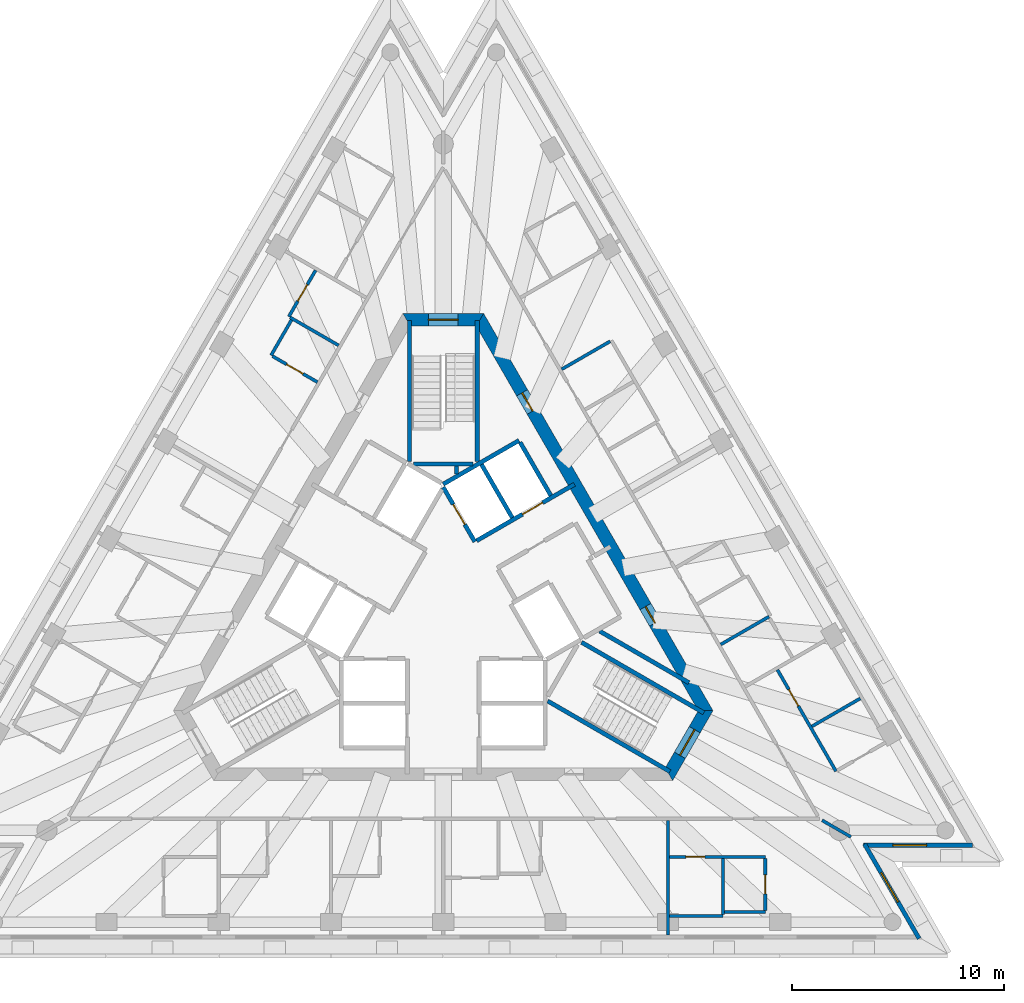
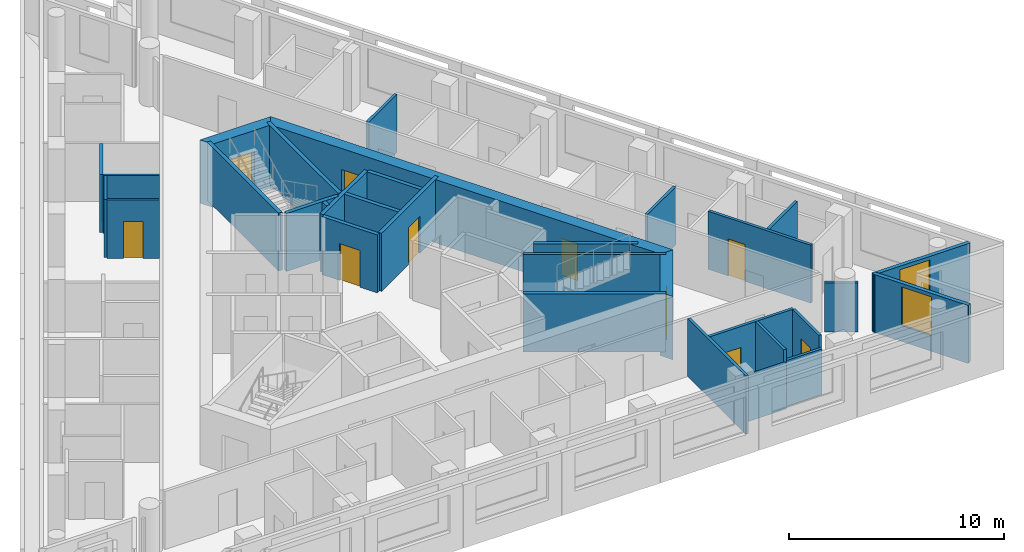
# One storey, part 6 of 11: 32 walls, 11 doors, 2 windows, 13 openings.
"""IFC4 building model written with IfcOpenShell, lengths in metres."""

from ifc_helpers import new_model, si_unit, direction, frame, frame_2d, origin, place, context, subcontext, project, spatial, polyline, rectangle, outline, extrude, material, layer, layer_set, layer_usage, type_object, element, fill, save


model = new_model("IFC4")

# Units and contexts
model_context = context("Model", 3, precision=1e-05, world=origin(), true_north=direction((0.0, 1.0)))
body_context = subcontext(model_context, "Body", "Model", "MODEL_VIEW")
ifc_project = project(units=[si_unit("LENGTHUNIT", "METRE"), si_unit("AREAUNIT", "SQUARE_METRE"), si_unit("VOLUMEUNIT", "CUBIC_METRE"), si_unit("PLANEANGLEUNIT", "RADIAN"), si_unit("MASSUNIT", "GRAM", prefix="KILO")], contexts=[model_context])

# Site, building, storey
site_placement = place(None, origin())
site = spatial("IfcSite", under=ifc_project, at=site_placement, CompositionType="ELEMENT")
building_placement = place(site_placement, origin())
building = spatial("IfcBuilding", under=site, at=building_placement, Name="Triada Interchange Tower", CompositionType="ELEMENT")
storey_placement = place(building_placement, frame((0.0, 0.0, 300.699951171875)))
storey = spatial("IfcBuildingStorey", under=building, at=storey_placement, Name="L71", CompositionType="ELEMENT", Elevation=300.699951171875)

# Wall
ifc_material_1 = material(Name="Concrete C30/37", Category="concrete")
ifc_layer_1 = layer(ifc_material_1, 0.199951171875)
ifc_layer_set_1 = layer_set([ifc_layer_1], Name="CORE WALL 200 EI 120")
wall_type_1 = type_object("IfcWallType", Name="CORE WALL 200 EI 120", PredefinedType="SOLIDWALL", material=ifc_layer_set_1)
wall_1_placement = place(storey_placement, frame((-0.001953125, 5.541015625, 0.0), z_axis=(0.0, 0.0, 1.0), x_axis=(0.86600155993, 0.500041296494, 0.0)))
element("IfcWall", 1, at=wall_1_placement, inside=storey, type_object=wall_type_1, Name="Wall L71 79", PredefinedType="SOLIDWALL", context=body_context, shape_type="SweptSolid", body=[
    extrude(rectangle(XDim=4.131591796875, YDim=0.199951171875, at=frame_2d((2.06591796875, 0.0))), origin(), (0.0, 0.0, 1.0), 3.300048828125),
])

# Wall, opening, door
wall_2_placement = place(storey_placement, frame((0.0, 5.39990234375, 0.0), z_axis=(0.0, 0.0, 1.0), x_axis=(0.500103862429, -0.865965430478, 0.0)))
wall_2 = element("IfcWall", 2, at=wall_2_placement, inside=storey, type_object=wall_type_1, Name="Wall L71 80", PredefinedType="SOLIDWALL", context=body_context, shape_type="SweptSolid", body=[
    extrude(rectangle(XDim=2.973388671875, YDim=0.199951171875, at=frame_2d((1.48681640625, 0.0))), origin(), (0.0, 0.0, 1.0), 3.300048828125),
])
opening_1_placement = place(wall_2_placement, frame((0.93701171875, 0.0, 0.0)))
opening_1 = element("IfcOpeningElement", 3, at=opening_1_placement, cuts=wall_2, Name="Opening LD-HR5", PredefinedType="OPENING", context=body_context, shape_type="SweptSolid", body=[
    extrude(rectangle(XDim=1.10009765625, YDim=2.10009765625, at=frame_2d((0.550048828125, 1.050048828125))), frame((0.0, 0.10986328125, 0.0), z_axis=(0.0, -1.0, 0.0), x_axis=(1.0, 0.0, 0.0)), (0.0, 0.0, 1.0), 0.219970703125),
])
ifc_material_2 = material(Name="Steel S235 door leaf", Category="steel")
door_type_1 = type_object("IfcDoorType", Name="LIFT LANDING DOOR 1100 EI 120", OperationType="SLIDING_TO_LEFT", PredefinedType="DOOR", material=ifc_material_2)
door_1_placement = place(opening_1_placement, origin())
door_1 = element("IfcDoor", 4, at=door_1_placement, inside=storey, type_object=door_type_1, Name="HR5 landing door L71", OperationType="SLIDING_TO_LEFT", OverallHeight=2.10009765625, OverallWidth=1.10009765625, PredefinedType="DOOR", context=body_context, shape_type="SweptSolid", body=[
    extrude(rectangle(XDim=1.10009765625, YDim=2.10009765625, at=frame_2d((0.550048828125, 1.050048828125))), frame((0.0, 0.02490234375, 0.0), z_axis=(0.0, -1.0, 0.0), x_axis=(1.0, 0.0, 0.0)), (0.0, 0.0, 1.0), 0.050048828125),
])
fill(opening_1, door_1)

wall_3_placement = place(storey_placement, frame((1.577880859375, 2.8740234375, 0.0), z_axis=(0.0, 0.0, 1.0), x_axis=(0.866045911672, 0.499964477614, 0.0)))
wall_3 = element("IfcWall", 5, at=wall_3_placement, inside=storey, type_object=wall_type_1, Name="Wall L71 82", PredefinedType="SOLIDWALL", context=body_context, shape_type="SweptSolid", body=[
    extrude(rectangle(XDim=5.32666015625, YDim=0.199951171875, at=frame_2d((2.663330078125, 0.0))), origin(), (0.0, 0.0, 1.0), 3.300048828125),
])
opening_2_placement = place(wall_3_placement, frame((2.49609375, 0.0, 0.0)))
opening_2 = element("IfcOpeningElement", 6, at=opening_2_placement, cuts=wall_3, Name="Opening LD-HR6", PredefinedType="OPENING", context=body_context, shape_type="SweptSolid", body=[
    extrude(rectangle(XDim=1.10009765625, YDim=2.10009765625, at=frame_2d((0.550048828125, 1.050048828125))), frame((0.0, 0.10986328125, 0.0), z_axis=(0.0, -1.0, 0.0), x_axis=(1.0, 0.0, 0.0)), (0.0, 0.0, 1.0), 0.219970703125),
])
door_2_placement = place(opening_2_placement, origin())
door_2 = element("IfcDoor", 7, at=door_2_placement, inside=storey, type_object=door_type_1, Name="HR6 landing door L71", OperationType="SLIDING_TO_LEFT", OverallHeight=2.10009765625, OverallWidth=1.10009765625, PredefinedType="DOOR", context=body_context, shape_type="SweptSolid", body=[
    extrude(rectangle(XDim=1.10009765625, YDim=2.10009765625, at=frame_2d((0.550048828125, 1.050048828125))), frame((0.0, 0.02490234375, 0.0), z_axis=(0.0, -1.0, 0.0), x_axis=(1.0, 0.0, 0.0)), (0.0, 0.0, 1.0), 0.050048828125),
])
fill(opening_2, door_2)

# Walls
for number, where, z_axis, x_axis, name in (
    (8, (3.6259765625, 7.52001953125, 0.0), (0.0, 0.0, 1.0), (0.500060147554, -0.865990674793, 0.0), "Wall L71 87"),
    (9, (1.806884765625, 6.469970703125, 0.0), (0.0, 0.0, 1.0), (0.50012328804, -0.865954211699, 0.0), "Wall L71 88"),
):
    element("IfcWall", number, at=place(storey_placement, frame(where, z_axis=z_axis, x_axis=x_axis)), inside=storey, type_object=wall_type_1, Name=name, PredefinedType="SOLIDWALL", context=body_context, shape_type="SweptSolid", body=[
        extrude(rectangle(XDim=2.899658203125, YDim=0.199951171875, at=frame_2d((1.44970703125, 0.0))), origin(), (0.0, 0.0, 1.0), 3.300048828125),
    ])
ifc_layer_2 = layer(ifc_material_1, 0.199951171875)
ifc_layer_set_2 = layer_set([ifc_layer_2], Name="CORE WALL 200 EI 90")
wall_type_2 = type_object("IfcWallType", Name="CORE WALL 200 EI 90", PredefinedType="SOLIDWALL", material=ifc_layer_set_2)
wall_4_placement = place(storey_placement, frame((0.62109375, 6.01611328125, 0.0), z_axis=(0.0, 0.0, 1.0), x_axis=(0.0, 1.0, 0.0)))
element("IfcWall", 10, at=wall_4_placement, inside=storey, type_object=wall_type_2, Name="Wall L71 110", PredefinedType="SOLIDWALL", context=body_context, shape_type="SweptSolid", body=[
    extrude(rectangle(XDim=0.3837890625, YDim=0.199951171875, at=frame_2d((0.19189453125, 0.0))), origin(), (0.0, 0.0, 1.0), 3.300048828125),
])
wall_5_placement = place(storey_placement, frame((7.383056640625, -1.39501953125, 0.0), z_axis=(0.0, 0.0, 1.0), x_axis=(0.865968383994, -0.500098748171, 0.0)))
element("IfcWall", 11, at=wall_5_placement, inside=storey, type_object=wall_type_2, Name="Wall L71 114", PredefinedType="SOLIDWALL", context=body_context, shape_type="SweptSolid", body=[
    extrude(rectangle(XDim=4.8671875, YDim=0.199951171875, at=frame_2d((2.43359375, 0.0))), origin(), (0.0, 0.0, 1.0), 3.300048828125),
])
ifc_layer_3 = layer(ifc_material_1, 0.199951171875)
ifc_layer_set_3 = layer_set([ifc_layer_3], Name="CORE WALL 200 REI 240")
wall_type_3 = type_object("IfcWallType", Name="CORE WALL 200 REI 240", PredefinedType="SOLIDWALL", material=ifc_layer_set_3)
wall_6_placement = place(storey_placement, frame((1.60009765625, 6.614990234375, 0.0), z_axis=(0.0, 0.0, 1.0), x_axis=(0.0, 1.0, 0.0)))
element("IfcWall", 12, at=wall_6_placement, inside=storey, type_object=wall_type_3, Name="Wall L71 118", PredefinedType="SOLIDWALL", context=body_context, shape_type="SweptSolid", body=[
    extrude(rectangle(XDim=6.6650390625, YDim=0.199951171875, at=frame_2d((3.33251953125, 0.0))), origin(), (0.0, 0.0, 1.0), 3.300048828125),
])
wall_7_placement = place(storey_placement, frame((-1.39990234375, 6.5, 0.0), z_axis=(0.0, 0.0, 1.0), x_axis=(1.0, 0.0, 0.0)))
element("IfcWall", 13, at=wall_7_placement, inside=storey, type_object=wall_type_3, Name="Wall L71 119", PredefinedType="SOLIDWALL", context=body_context, shape_type="SweptSolid", body=[
    extrude(rectangle(XDim=2.7998046875, YDim=0.199951171875, at=frame_2d((1.39990234375, 0.0))), origin(), (0.0, 0.0, 1.0), 3.300048828125),
])
for number, where, z_axis, x_axis, name in (
    (14, (-1.60009765625, 6.614990234375, 0.0), (0.0, 0.0, 1.0), (0.0, 1.0, 0.0), "Wall L71 120"),
    (15, (4.928955078125, -4.693115234375, 0.0), (0.0, 0.0, 1.0), (0.866005022404, -0.500035299925, 0.0), "Wall L71 121"),
):
    element("IfcWall", number, at=place(storey_placement, frame(where, z_axis=z_axis, x_axis=x_axis)), inside=storey, type_object=wall_type_3, Name=name, PredefinedType="SOLIDWALL", context=body_context, shape_type="SweptSolid", body=[
        extrude(rectangle(XDim=6.6650390625, YDim=0.199951171875, at=frame_2d((3.33251953125, 0.0))), origin(), (0.0, 0.0, 1.0), 3.300048828125),
    ])
wall_8_placement = place(storey_placement, frame((6.529052734375, -1.922119140625, 0.0), z_axis=(0.0, 0.0, 1.0), x_axis=(0.866068467981, -0.499925403204, 0.0)))
element("IfcWall", 16, at=wall_8_placement, inside=storey, type_object=wall_type_3, Name="Wall L71 123", PredefinedType="SOLIDWALL", context=body_context, shape_type="SweptSolid", body=[
    extrude(rectangle(XDim=6.66455078125, YDim=0.199951171875, at=frame_2d((3.332275390625, 0.0))), origin(), (0.0, 0.0, 1.0), 3.300048828125),
])

# Wall, opening, door
ifc_material_3 = material(Name="Concrete C40/50", Category="concrete")
ifc_layer_4 = layer(ifc_material_3, 0.60009765625)
ifc_layer_set_4 = layer_set([ifc_layer_4], Name="Core wall D 600")
wall_type_4 = type_object("IfcWallType", Name="Core wall D 600", PredefinedType="SHEAR", material=ifc_layer_set_4)
wall_9_placement = place(storey_placement, frame((1.73193359375, 13.300048828125, -0.300048828125), z_axis=(0.0, 0.0, 1.0), x_axis=(-1.0, 0.0, 0.0)))
wall_9 = element("IfcWall", 17, at=wall_9_placement, inside=storey, type_object=wall_type_4, Name="Core wall WD01 L71", PredefinedType="SHEAR", context=body_context, shape_type="SweptSolid", body=[
    extrude(outline(polyline([(-0.173095703125, -0.300048828125), (1.73193359375, -0.300048828125), (3.636962890625, -0.300048828125), (3.291015625, 0.300048828125), (1.73193359375, 0.300048828125), (0.173095703125, 0.300048828125), (-0.173095703125, -0.300048828125)])), origin(), (0.0, 0.0, 1.0), 3.60009765625),
])
opening_3_placement = place(wall_9_placement, frame((1.031982421875, 0.0, 0.300048828125)))
opening_3 = element("IfcOpeningElement", 18, at=opening_3_placement, cuts=wall_9, Name="Opening D71-50", PredefinedType="OPENING", context=body_context, shape_type="SweptSolid", body=[
    extrude(rectangle(XDim=1.39990234375, YDim=2.10009765625, at=frame_2d((0.699951171875, 1.050048828125))), frame((0.0, 0.31005859375, 0.0), z_axis=(0.0, -1.0, 0.0), x_axis=(1.0, 0.0, 0.0)), (0.0, 0.0, 1.0), 0.6201171875),
])
door_type_2 = type_object("IfcDoorType", Name="STAIR DOOR 1400 EI2 90-C5S200", OperationType="DOUBLE_DOOR_SINGLE_SWING", PredefinedType="DOOR", material=ifc_material_2)
door_3_placement = place(opening_3_placement, origin())
door_3 = element("IfcDoor", 19, at=door_3_placement, inside=storey, type_object=door_type_2, Name="Door D71-50 L71", OperationType="DOUBLE_DOOR_SINGLE_SWING", OverallHeight=2.10009765625, OverallWidth=1.39990234375, PredefinedType="DOOR", context=body_context, shape_type="SweptSolid", body=[
    extrude(rectangle(XDim=1.39990234375, YDim=2.10009765625, at=frame_2d((0.699951171875, 1.050048828125))), frame((0.0, 0.02490234375, 0.0), z_axis=(0.0, -1.0, 0.0), x_axis=(1.0, 0.0, 0.0)), (0.0, 0.0, 1.0), 0.050048828125),
])
fill(opening_3, door_3)

wall_10_placement = place(storey_placement, frame((10.652099609375, -8.14990234375, -0.300048828125), z_axis=(0.0, 0.0, 1.0), x_axis=(0.49997462182, 0.866040055388, 0.0)))
wall_10 = element("IfcWall", 20, at=wall_10_placement, inside=storey, type_object=wall_type_4, Name="Core wall WD05 L71", PredefinedType="SHEAR", context=body_context, shape_type="SweptSolid", body=[
    extrude(outline(polyline([(-0.173095703125, -0.300048828125), (1.732421875, -0.300537109375), (3.637939453125, -0.301025390625), (3.291015625, 0.300048828125), (1.73193359375, 0.300048828125), (0.173095703125, 0.300048828125), (-0.173095703125, -0.300048828125)])), origin(), (0.0, 0.0, 1.0), 3.60009765625),
])
opening_4_placement = place(wall_10_placement, frame((1.031982421875, 0.0, 0.300048828125)))
opening_4 = element("IfcOpeningElement", 21, at=opening_4_placement, cuts=wall_10, Name="Opening D71-52", PredefinedType="OPENING", context=body_context, shape_type="SweptSolid", body=[
    extrude(rectangle(XDim=1.39990234375, YDim=2.10009765625, at=frame_2d((0.699951171875, 1.050048828125))), frame((0.0, 0.31005859375, 0.0), z_axis=(0.0, -1.0, 0.0), x_axis=(1.0, 0.0, 0.0)), (0.0, 0.0, 1.0), 0.62109375),
])
door_4_placement = place(opening_4_placement, origin())
door_4 = element("IfcDoor", 22, at=door_4_placement, inside=storey, type_object=door_type_2, Name="Door D71-52 L71", OperationType="DOUBLE_DOOR_SINGLE_SWING", OverallHeight=2.10009765625, OverallWidth=1.39990234375, PredefinedType="DOOR", context=body_context, shape_type="SweptSolid", body=[
    extrude(rectangle(XDim=1.39990234375, YDim=2.10009765625, at=frame_2d((0.699951171875, 1.050048828125))), frame((0.0, 0.02490234375, 0.0), z_axis=(0.0, -1.0, 0.0), x_axis=(1.0, 0.0, 0.0)), (0.0, 0.0, 1.0), 0.050048828125),
])
fill(opening_4, door_4)

# Wall, openings, doors
wall_11_placement = place(storey_placement, frame((12.384033203125, -5.14990234375, -0.300048828125), z_axis=(0.0, 0.0, 1.0), x_axis=(-0.500000539815, 0.866025092122, 0.0)))
wall_11 = element("IfcWall", 23, at=wall_11_placement, inside=storey, type_object=wall_type_4, Name="Core wall WD06 L71", PredefinedType="SHEAR", context=body_context, shape_type="SweptSolid", body=[
    extrude(outline(polyline([(-0.173095703125, -0.301025390625), (1.795166015625, -0.301025390625), (3.76318359375, -0.30078125), (5.7314453125, -0.30078125), (7.69970703125, -0.30078125), (9.66796875, -0.300537109375), (11.635986328125, -0.300537109375), (13.604248046875, -0.30029296875), (15.572509765625, -0.30029296875), (17.540771484375, -0.30029296875), (19.5087890625, -0.300048828125), (21.47705078125, -0.300048828125), (21.131103515625, 0.300048828125), (19.225830078125, 0.300048828125), (17.320556640625, 0.300048828125), (15.415283203125, 0.300048828125), (13.510009765625, 0.300048828125), (11.604736328125, 0.300048828125), (9.699462890625, 0.300048828125), (7.794189453125, 0.300048828125), (5.888916015625, 0.300048828125), (3.983642578125, 0.300048828125), (2.078369140625, 0.300048828125), (0.173095703125, 0.300048828125), (-0.173095703125, -0.301025390625)])), origin(), (0.0, 0.0, 1.0), 3.60009765625),
])
opening_5_placement = place(wall_11_placement, frame((16.327880859375, 0.0, 0.300048828125)))
opening_5 = element("IfcOpeningElement", 24, at=opening_5_placement, cuts=wall_11, Name="Opening D71-57", PredefinedType="OPENING", context=body_context, shape_type="SweptSolid", body=[
    extrude(rectangle(XDim=1.0, YDim=2.10009765625, at=frame_2d((0.5, 1.050048828125))), frame((0.0, 0.31005859375, 0.0), z_axis=(0.0, -1.0, 0.0), x_axis=(1.0, 0.0, 0.0)), (0.0, 0.0, 1.0), 0.62109375),
])
opening_6_placement = place(wall_11_placement, frame((4.777099609375, 0.0, 0.300048828125)))
opening_6 = element("IfcOpeningElement", 25, at=opening_6_placement, cuts=wall_11, Name="Opening D71-59", PredefinedType="OPENING", context=body_context, shape_type="SweptSolid", body=[
    extrude(rectangle(XDim=0.89990234375, YDim=2.10009765625, at=frame_2d((0.449951171875, 1.050048828125))), frame((0.0, 0.31005859375, 0.0), z_axis=(0.0, -1.0, 0.0), x_axis=(1.0, 0.0, 0.0)), (0.0, 0.0, 1.0), 0.62109375),
])
door_type_3 = type_object("IfcDoorType", Name="RISER ACCESS DOOR 900 EI2 45-C5S200", OperationType="NOTDEFINED", PredefinedType="DOOR", material=ifc_material_2)
door_5_placement = place(opening_6_placement, origin())
door_5 = element("IfcDoor", 26, at=door_5_placement, inside=storey, type_object=door_type_3, Name="Door D71-59 L71", OperationType="SINGLE_SWING_LEFT", OverallHeight=2.10009765625, OverallWidth=0.89990234375, PredefinedType="DOOR", context=body_context, shape_type="SweptSolid", body=[
    extrude(rectangle(XDim=0.89990234375, YDim=2.10009765625, at=frame_2d((0.449951171875, 1.050048828125))), frame((0.0, 0.02490234375, 0.0), z_axis=(0.0, -1.0, 0.0), x_axis=(1.0, 0.0, 0.0)), (0.0, 0.0, 1.0), 0.050048828125),
])
fill(opening_6, door_5)
door_type_4 = type_object("IfcDoorType", Name="SERVICE DOOR 1000 EI2 45-C5S200", OperationType="NOTDEFINED", PredefinedType="DOOR", material=ifc_material_2)
door_6_placement = place(opening_5_placement, origin())
door_6 = element("IfcDoor", 27, at=door_6_placement, inside=storey, type_object=door_type_4, Name="Door D71-57 L71", OperationType="SINGLE_SWING_RIGHT", OverallHeight=2.10009765625, OverallWidth=1.0, PredefinedType="DOOR", context=body_context, shape_type="SweptSolid", body=[
    extrude(rectangle(XDim=1.0, YDim=2.10009765625, at=frame_2d((0.5, 1.050048828125))), frame((0.0, 0.02490234375, 0.0), z_axis=(0.0, -1.0, 0.0), x_axis=(1.0, 0.0, 0.0)), (0.0, 0.0, 1.0), 0.050048828125),
])
fill(opening_5, door_6)

# Wall, opening, window
ifc_material_4 = material(Name="Cement board")
ifc_layer_5 = layer(ifc_material_4, 0.02001953125, Name="Cement board cladding")
ifc_material_5 = material(Name="Sheathing board")
ifc_layer_6 = layer(ifc_material_5, 0.014892578125, Name="Sheathing board")
ifc_material_6 = material(Name="Mineral wool")
ifc_layer_7 = layer(ifc_material_6, 0.14990234375, Name="Mineral wool between steel studs")
ifc_material_7 = material(Name="Gypsum board")
ifc_layer_8 = layer(ifc_material_7, 0.014892578125, Name="Plasterboard lining")
ifc_layer_set_5 = layer_set([ifc_layer_5, ifc_layer_6, ifc_layer_7, ifc_layer_8], Name="External wall 200")
ifc_layer_usage = layer_usage(ifc_layer_set_5, "AXIS2", "POSITIVE", -0.10009765625)
wall_type_5 = type_object("IfcWallType", Name="External wall 200", PredefinedType="ELEMENTEDWALL", material=ifc_layer_set_5)
wall_12_placement = place(storey_placement, frame((22.4619140625, -15.905029296875, 0.0), z_axis=(0.0, 0.0, 1.0), x_axis=(-0.500054376048, 0.865994007483, 0.0)))
wall_12 = element("IfcWall", 28, at=wall_12_placement, inside=storey, type_object=wall_type_5, material=ifc_layer_usage, Name="External wall L71 SE-1", PredefinedType="ELEMENTEDWALL", context=body_context, shape_type="SweptSolid", body=[
    extrude(rectangle(XDim=5.1572265625, YDim=0.199951171875, at=frame_2d((2.57861328125, 0.0))), origin(), (0.0, 0.0, 1.0), 3.300048828125),
])
opening_7_placement = place(wall_12_placement, frame((1.989990234375, 0.0, 0.89990234375)))
opening_7 = element("IfcOpeningElement", 29, at=opening_7_placement, cuts=wall_12, Name="Opening WD19", PredefinedType="OPENING", context=body_context, shape_type="SweptSolid", body=[
    extrude(rectangle(XDim=1.60009765625, YDim=2.199951171875, at=frame_2d((0.800048828125, 1.10009765625))), frame((0.0, 0.10986328125, 0.0), z_axis=(0.0, -1.0, 0.0), x_axis=(1.0, 0.0, 0.0)), (0.0, 0.0, 1.0), 0.219970703125),
])
ifc_material_8 = material(Name="Double glazed aluminium window", Category="aluminium")
window_type = type_object("IfcWindowType", Name="Ribbon window D pocket", PartitioningType="SINGLE_PANEL", PredefinedType="WINDOW", material=ifc_material_8)
window_1_placement = place(opening_7_placement, origin())
window_1 = element("IfcWindow", 30, at=window_1_placement, inside=storey, type_object=window_type, Name="Window L71 SE-1 1", OverallHeight=2.199951171875, OverallWidth=1.60009765625, PartitioningType="SINGLE_PANEL", PredefinedType="WINDOW", context=body_context, shape_type="SweptSolid", body=[
    extrude(rectangle(XDim=1.60009765625, YDim=2.199951171875, at=frame_2d((0.800048828125, 1.10009765625))), frame((0.0, 0.030029296875, 0.0), z_axis=(0.0, -1.0, 0.0), x_axis=(1.0, 0.0, 0.0)), (0.0, 0.0, 1.0), 0.06005859375),
])
fill(opening_7, window_1)

wall_13_placement = place(storey_placement, frame((19.827880859375, -11.5, 0.0), z_axis=(0.0, 0.0, 1.0), x_axis=(1.0, 0.0, 0.0)))
wall_13 = element("IfcWall", 31, at=wall_13_placement, inside=storey, type_object=wall_type_5, material=ifc_layer_usage, Name="External wall L71 SE-2", PredefinedType="ELEMENTEDWALL", context=body_context, shape_type="SweptSolid", body=[
    extrude(rectangle(XDim=5.1572265625, YDim=0.199951171875, at=frame_2d((2.57861328125, 0.0))), origin(), (0.0, 0.0, 1.0), 3.300048828125),
])
opening_8_placement = place(wall_13_placement, frame((1.389892578125, 0.0, 0.89990234375)))
opening_8 = element("IfcOpeningElement", 32, at=opening_8_placement, cuts=wall_13, Name="Opening WD20", PredefinedType="OPENING", context=body_context, shape_type="SweptSolid", body=[
    extrude(rectangle(XDim=1.60009765625, YDim=2.199951171875, at=frame_2d((0.800048828125, 1.10009765625))), frame((0.0, 0.10986328125, 0.0), z_axis=(0.0, -1.0, 0.0), x_axis=(1.0, 0.0, 0.0)), (0.0, 0.0, 1.0), 0.219970703125),
])
window_2_placement = place(opening_8_placement, origin())
window_2 = element("IfcWindow", 33, at=window_2_placement, inside=storey, type_object=window_type, Name="Window L71 SE-2 1", OverallHeight=2.199951171875, OverallWidth=1.60009765625, PartitioningType="SINGLE_PANEL", PredefinedType="WINDOW", context=body_context, shape_type="SweptSolid", body=[
    extrude(rectangle(XDim=1.60009765625, YDim=2.199951171875, at=frame_2d((0.800048828125, 1.10009765625))), frame((0.0, 0.030029296875, 0.0), z_axis=(0.0, -1.0, 0.0), x_axis=(1.0, 0.0, 0.0)), (0.0, 0.0, 1.0), 0.06005859375),
])
fill(opening_8, window_2)

# Walls
ifc_material_9 = material(Name="Gypsum board partition")
ifc_layer_9 = layer(ifc_material_9, 0.14990234375)
ifc_layer_set_6 = layer_set([ifc_layer_9], Name="PARTITION 150 EI 180")
wall_type_6 = type_object("IfcWallType", Name="PARTITION 150 EI 180", PredefinedType="PARTITIONING", material=ifc_layer_set_6)
wall_14_placement = place(storey_placement, frame((17.883056640625, -10.324951171875, 0.0), z_axis=(0.0, 0.0, 1.0), x_axis=(0.865859083376, -0.500287964811, 0.0)))
element("IfcWall", 34, at=wall_14_placement, inside=storey, type_object=wall_type_6, Name="Wall L71 8", PredefinedType="PARTITIONING", context=body_context, shape_type="SweptSolid", body=[
    extrude(rectangle(XDim=1.5693359375, YDim=0.14990234375, at=frame_2d((0.78466796875, 0.0))), origin(), (0.0, 0.0, 1.0), 2.800048828125),
])
wall_15_placement = place(storey_placement, frame((5.591064453125, 10.965087890625, 0.0), z_axis=(0.0, 0.0, 1.0), x_axis=(0.86592206805, 0.500178940045, 0.0)))
element("IfcWall", 35, at=wall_15_placement, inside=storey, type_object=wall_type_6, Name="Wall L71 18", PredefinedType="PARTITIONING", context=body_context, shape_type="SweptSolid", body=[
    extrude(rectangle(XDim=2.638671875, YDim=0.14990234375, at=frame_2d((1.3193359375, 0.0))), origin(), (0.0, 0.0, 1.0), 3.300048828125),
])
wall_16_placement = place(storey_placement, frame((10.60205078125, -15.7470703125, 0.0), z_axis=(0.0, 0.0, 1.0), x_axis=(0.0, 1.0, 0.0)))
element("IfcWall", 36, at=wall_16_placement, inside=storey, type_object=wall_type_6, Name="Wall L71 21", PredefinedType="PARTITIONING", context=body_context, shape_type="SweptSolid", body=[
    extrude(rectangle(XDim=5.422119140625, YDim=0.14990234375, at=frame_2d((2.7109375, 0.0))), origin(), (0.0, 0.0, 1.0), 3.300048828125),
])
wall_17_placement = place(storey_placement, frame((13.093017578125, -2.027099609375, 0.0), z_axis=(0.0, 0.0, 1.0), x_axis=(0.866042279195, 0.499970769793, 0.0)))
element("IfcWall", 37, at=wall_17_placement, inside=storey, type_object=wall_type_6, Name="Wall L71 25", PredefinedType="PARTITIONING", context=body_context, shape_type="SweptSolid", body=[
    extrude(rectangle(XDim=2.638427734375, YDim=0.14990234375, at=frame_2d((1.3193359375, 0.0))), origin(), (0.0, 0.0, 1.0), 3.300048828125),
])

# Wall, opening, door
ifc_layer_10 = layer(ifc_material_9, 0.14990234375)
ifc_layer_set_7 = layer_set([ifc_layer_10], Name="PARTITION 150 EI 90")
wall_type_7 = type_object("IfcWallType", Name="PARTITION 150 EI 90", PredefinedType="PARTITIONING", material=ifc_layer_set_7)
wall_18_placement = place(storey_placement, frame((-7.291015625, 13.448974609375, 0.0), z_axis=(0.0, 0.0, 1.0), x_axis=(0.500079482444, 0.865979509711, 0.0)))
wall_18 = element("IfcWall", 38, at=wall_18_placement, inside=storey, type_object=wall_type_7, Name="Wall L71 35", PredefinedType="PARTITIONING", context=body_context, shape_type="SweptSolid", body=[
    extrude(rectangle(XDim=2.525390625, YDim=0.14990234375, at=frame_2d((1.2626953125, 0.0))), origin(), (0.0, 0.0, 1.0), 3.300048828125),
])
opening_9_placement = place(wall_18_placement, frame((0.85009765625, 0.0, 0.0)))
opening_9 = element("IfcOpeningElement", 39, at=opening_9_placement, cuts=wall_18, Name="Opening D71-40", PredefinedType="OPENING", context=body_context, shape_type="SweptSolid", body=[
    extrude(rectangle(XDim=0.89990234375, YDim=2.10009765625, at=frame_2d((0.449951171875, 1.050048828125))), frame((0.0, 0.0849609375, 0.0), z_axis=(0.0, -1.0, 0.0), x_axis=(1.0, 0.0, 0.0)), (0.0, 0.0, 1.0), 0.169921875),
])
door_type_5 = type_object("IfcDoorType", Name="ROOM DOOR 900 EI2 45-C5S200", OperationType="NOTDEFINED", PredefinedType="DOOR", material=ifc_material_2)
door_7_placement = place(opening_9_placement, origin())
door_7 = element("IfcDoor", 40, at=door_7_placement, inside=storey, type_object=door_type_5, Name="Door D71-40 L71", OperationType="SINGLE_SWING_LEFT", OverallHeight=2.10009765625, OverallWidth=0.89990234375, PredefinedType="DOOR", context=body_context, shape_type="SweptSolid", body=[
    extrude(rectangle(XDim=0.89990234375, YDim=2.10009765625, at=frame_2d((0.449951171875, 1.050048828125))), frame((0.0, 0.02490234375, 0.0), z_axis=(0.0, -1.0, 0.0), x_axis=(1.0, 0.0, 0.0)), (0.0, 0.0, 1.0), 0.050048828125),
])
fill(opening_9, door_7)

wall_19_placement = place(storey_placement, frame((10.677001953125, -12.050048828125, 0.0), z_axis=(0.0, 0.0, 1.0), x_axis=(1.0, 0.0, 0.0)))
wall_19 = element("IfcWall", 41, at=wall_19_placement, inside=storey, type_object=wall_type_7, Name="Wall L71 43", PredefinedType="PARTITIONING", context=body_context, shape_type="SweptSolid", body=[
    extrude(rectangle(XDim=4.52490234375, YDim=0.14990234375, at=frame_2d((2.262451171875, 0.0))), origin(), (0.0, 0.0, 1.0), 3.300048828125),
])
opening_10_placement = place(wall_19_placement, frame((0.77490234375, 0.0, 0.0)))
opening_10 = element("IfcOpeningElement", 42, at=opening_10_placement, cuts=wall_19, Name="Opening D71-21", PredefinedType="OPENING", context=body_context, shape_type="SweptSolid", body=[
    extrude(rectangle(XDim=0.89990234375, YDim=2.10009765625, at=frame_2d((0.449951171875, 1.050048828125))), frame((0.0, 0.0849609375, 0.0), z_axis=(0.0, -1.0, 0.0), x_axis=(1.0, 0.0, 0.0)), (0.0, 0.0, 1.0), 0.169921875),
])
door_8_placement = place(opening_10_placement, origin())
door_8 = element("IfcDoor", 43, at=door_8_placement, inside=storey, type_object=door_type_5, Name="Door D71-21 L71", OperationType="SINGLE_SWING_RIGHT", OverallHeight=2.10009765625, OverallWidth=0.89990234375, PredefinedType="DOOR", context=body_context, shape_type="SweptSolid", body=[
    extrude(rectangle(XDim=0.89990234375, YDim=2.10009765625, at=frame_2d((0.449951171875, 1.050048828125))), frame((0.0, 0.02490234375, 0.0), z_axis=(0.0, -1.0, 0.0), x_axis=(1.0, 0.0, 0.0)), (0.0, 0.0, 1.0), 0.050048828125),
])
fill(opening_10, door_8)

# Walls
wall_20_placement = place(storey_placement, frame((10.677001953125, -14.837890625, 0.0), z_axis=(0.0, 0.0, 1.0), x_axis=(1.0, 0.0, 0.0)))
element("IfcWall", 44, at=wall_20_placement, inside=storey, type_object=wall_type_7, Name="Wall L71 46", PredefinedType="PARTITIONING", context=body_context, shape_type="SweptSolid", body=[
    extrude(rectangle(XDim=2.52490234375, YDim=0.14990234375, at=frame_2d((1.262451171875, 0.0))), origin(), (0.0, 0.0, 1.0), 2.60009765625),
])
wall_21_placement = place(storey_placement, frame((-7.22607421875, 13.412109375, 0.0), z_axis=(0.0, 0.0, 1.0), x_axis=(0.866065407652, -0.499930704866, 0.0)))
element("IfcWall", 45, at=wall_21_placement, inside=storey, type_object=wall_type_7, Name="Wall L71 47", PredefinedType="PARTITIONING", context=body_context, shape_type="SweptSolid", body=[
    extrude(rectangle(XDim=2.638427734375, YDim=0.14990234375, at=frame_2d((1.3193359375, 0.0))), origin(), (0.0, 0.0, 1.0), 3.300048828125),
])
wall_22_placement = place(storey_placement, frame((-8.126953125, 11.623046875, 0.0), z_axis=(0.0, 0.0, 1.0), x_axis=(0.499795662447, 0.866143345988, 0.0)))
element("IfcWall", 46, at=wall_22_placement, inside=storey, type_object=wall_type_7, Name="Wall L71 48", PredefinedType="PARTITIONING", context=body_context, shape_type="SweptSolid", body=[
    extrude(rectangle(XDim=1.924560546875, YDim=0.14990234375, at=frame_2d((0.96240234375, 0.0))), origin(), (0.0, 0.0, 1.0), 3.300048828125),
])

# Wall, opening, door
wall_23_placement = place(storey_placement, frame((-8.06201171875, 11.5849609375, 0.0), z_axis=(0.0, 0.0, 1.0), x_axis=(0.865983065851, -0.500073324283, 0.0)))
wall_23 = element("IfcWall", 47, at=wall_23_placement, inside=storey, type_object=wall_type_7, Name="Wall L71 49", PredefinedType="PARTITIONING", context=body_context, shape_type="SweptSolid", body=[
    extrude(rectangle(XDim=2.449462890625, YDim=0.14990234375, at=frame_2d((1.224609375, 0.0))), origin(), (0.0, 0.0, 1.0), 3.300048828125),
])
opening_11_placement = place(wall_23_placement, frame((0.77392578125, 0.0, 0.0)))
opening_11 = element("IfcOpeningElement", 48, at=opening_11_placement, cuts=wall_23, Name="Opening D71-41", PredefinedType="OPENING", context=body_context, shape_type="SweptSolid", body=[
    extrude(rectangle(XDim=0.89990234375, YDim=2.10009765625, at=frame_2d((0.449951171875, 1.050048828125))), frame((0.0, 0.0849609375, 0.0), z_axis=(0.0, -1.0, 0.0), x_axis=(1.0, 0.0, 0.0)), (0.0, 0.0, 1.0), 0.169921875),
])
door_type_6 = type_object("IfcDoorType", Name="SERVICE DOOR 900 EI2 45-C5S200", OperationType="NOTDEFINED", PredefinedType="DOOR", material=ifc_material_2)
door_9_placement = place(opening_11_placement, origin())
door_9 = element("IfcDoor", 49, at=door_9_placement, inside=storey, type_object=door_type_6, Name="Door D71-41 L71", OperationType="SINGLE_SWING_RIGHT", OverallHeight=2.10009765625, OverallWidth=0.89990234375, PredefinedType="DOOR", context=body_context, shape_type="SweptSolid", body=[
    extrude(rectangle(XDim=0.89990234375, YDim=2.10009765625, at=frame_2d((0.449951171875, 1.050048828125))), frame((0.0, 0.02490234375, 0.0), z_axis=(0.0, -1.0, 0.0), x_axis=(1.0, 0.0, 0.0)), (0.0, 0.0, 1.0), 0.050048828125),
])
fill(opening_11, door_9)

wall_24_placement = place(storey_placement, frame((15.77392578125, -3.220947265625, 0.0), z_axis=(0.0, 0.0, 1.0), x_axis=(0.499898410332, -0.866084048662, 0.0)))
wall_24 = element("IfcWall", 50, at=wall_24_placement, inside=storey, type_object=wall_type_7, Name="Wall L71 61", PredefinedType="PARTITIONING", context=body_context, shape_type="SweptSolid", body=[
    extrude(rectangle(XDim=5.525146484375, YDim=0.14990234375, at=frame_2d((2.7626953125, 0.0))), origin(), (0.0, 0.0, 1.0), 3.300048828125),
])
opening_12_placement = place(wall_24_placement, frame((1.074951171875, 0.0, 0.0)))
opening_12 = element("IfcOpeningElement", 51, at=opening_12_placement, cuts=wall_24, Name="Opening D71-24", PredefinedType="OPENING", context=body_context, shape_type="SweptSolid", body=[
    extrude(rectangle(XDim=0.89990234375, YDim=2.10009765625, at=frame_2d((0.449951171875, 1.050048828125))), frame((0.0, 0.0849609375, 0.0), z_axis=(0.0, -1.0, 0.0), x_axis=(1.0, 0.0, 0.0)), (0.0, 0.0, 1.0), 0.169921875),
])
door_10_placement = place(opening_12_placement, origin())
door_10 = element("IfcDoor", 52, at=door_10_placement, inside=storey, type_object=door_type_5, Name="Door D71-24 L71", OperationType="SINGLE_SWING_LEFT", OverallHeight=2.10009765625, OverallWidth=0.89990234375, PredefinedType="DOOR", context=body_context, shape_type="SweptSolid", body=[
    extrude(rectangle(XDim=0.89990234375, YDim=2.10009765625, at=frame_2d((0.449951171875, 1.050048828125))), frame((0.0, 0.02490234375, 0.0), z_axis=(0.0, -1.0, 0.0), x_axis=(1.0, 0.0, 0.0)), (0.0, 0.0, 1.0), 0.050048828125),
])
fill(opening_12, door_10)

# Walls
wall_25_placement = place(storey_placement, frame((13.201904296875, -14.763916015625, 0.0), z_axis=(0.0, 0.0, 1.0), x_axis=(0.0, 1.0, 0.0)))
element("IfcWall", 53, at=wall_25_placement, inside=storey, type_object=wall_type_7, Name="Wall L71 64", PredefinedType="PARTITIONING", context=body_context, shape_type="SweptSolid", body=[
    extrude(rectangle(XDim=2.638916015625, YDim=0.14990234375, at=frame_2d((1.3193359375, 0.0))), origin(), (0.0, 0.0, 1.0), 3.300048828125),
])
wall_26_placement = place(storey_placement, frame((13.277099609375, -14.64990234375, 0.0), z_axis=(0.0, 0.0, 1.0), x_axis=(1.0, 0.0, 0.0)))
element("IfcWall", 54, at=wall_26_placement, inside=storey, type_object=wall_type_7, Name="Wall L71 65", PredefinedType="PARTITIONING", context=body_context, shape_type="SweptSolid", body=[
    extrude(rectangle(XDim=1.9248046875, YDim=0.14990234375, at=frame_2d((0.96240234375, 0.0))), origin(), (0.0, 0.0, 1.0), 2.60009765625),
])

# Wall, opening, door
wall_27_placement = place(storey_placement, frame((15.201904296875, -14.574951171875, 0.0), z_axis=(0.0, 0.0, 1.0), x_axis=(0.0, 1.0, 0.0)))
wall_27 = element("IfcWall", 55, at=wall_27_placement, inside=storey, type_object=wall_type_7, Name="Wall L71 66", PredefinedType="PARTITIONING", context=body_context, shape_type="SweptSolid", body=[
    extrude(rectangle(XDim=2.449951171875, YDim=0.14990234375, at=frame_2d((1.22509765625, 0.0))), origin(), (0.0, 0.0, 1.0), 3.300048828125),
])
opening_13_placement = place(wall_27_placement, frame((0.77490234375, 0.0, 0.0)))
opening_13 = element("IfcOpeningElement", 56, at=opening_13_placement, cuts=wall_27, Name="Opening D71-22", PredefinedType="OPENING", context=body_context, shape_type="SweptSolid", body=[
    extrude(rectangle(XDim=0.89990234375, YDim=2.10009765625, at=frame_2d((0.449951171875, 1.050048828125))), frame((0.0, 0.0849609375, 0.0), z_axis=(0.0, -1.0, 0.0), x_axis=(1.0, 0.0, 0.0)), (0.0, 0.0, 1.0), 0.169921875),
])
door_11_placement = place(opening_13_placement, origin())
door_11 = element("IfcDoor", 57, at=door_11_placement, inside=storey, type_object=door_type_6, Name="Door D71-22 L71", OperationType="SINGLE_SWING_LEFT", OverallHeight=2.10009765625, OverallWidth=0.89990234375, PredefinedType="DOOR", context=body_context, shape_type="SweptSolid", body=[
    extrude(rectangle(XDim=0.89990234375, YDim=2.10009765625, at=frame_2d((0.449951171875, 1.050048828125))), frame((0.0, 0.02490234375, 0.0), z_axis=(0.0, -1.0, 0.0), x_axis=(1.0, 0.0, 0.0)), (0.0, 0.0, 1.0), 0.050048828125),
])
fill(opening_13, door_11)

# Wall
wall_28_placement = place(storey_placement, frame((17.40087890625, -5.889892578125, 0.0), z_axis=(0.0, 0.0, 1.0), x_axis=(0.866105468975, 0.499861297372, 0.0)))
element("IfcWall", 58, at=wall_28_placement, inside=storey, type_object=wall_type_7, Name="Wall L71 67", PredefinedType="PARTITIONING", context=body_context, shape_type="SweptSolid", body=[
    extrude(rectangle(XDim=2.638427734375, YDim=0.14990234375, at=frame_2d((1.3193359375, 0.0))), origin(), (0.0, 0.0, 1.0), 3.300048828125),
])

save(model, "model.ifc")
